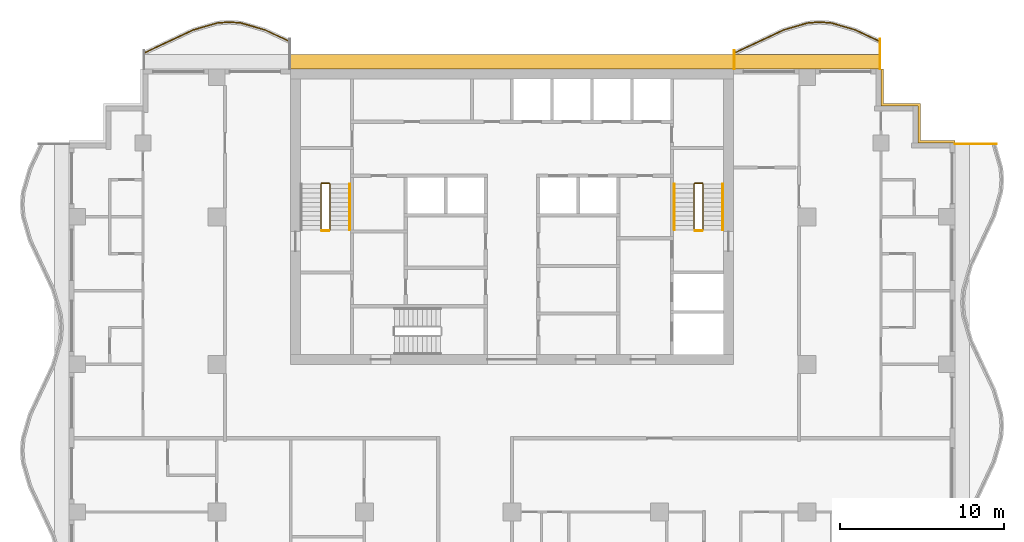
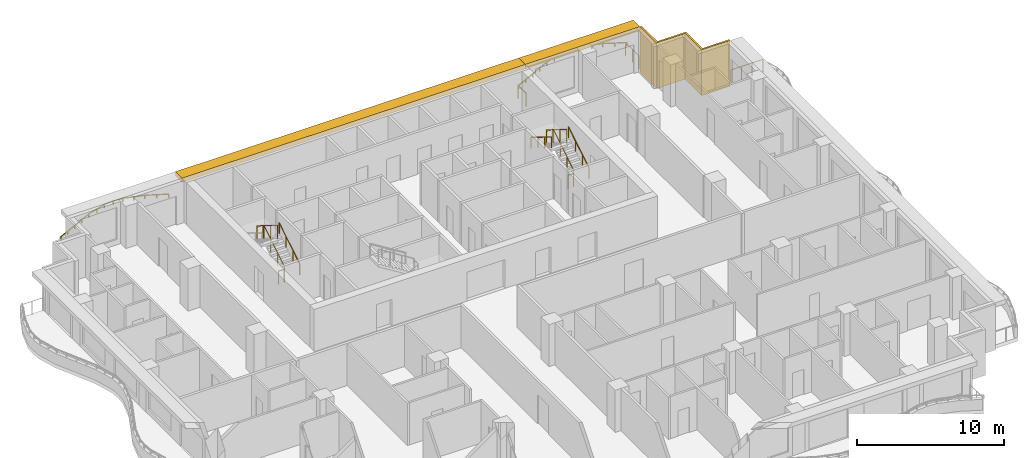
# One storey, part 12 of 12: 12 railings, 3 shading devices.
"""IFC4 building model written with IfcOpenShell, lengths in metres."""

from ifc_helpers import new_model, si_unit, direction, frame, origin, origin_2d, place, context, subcontext, project, spatial, polyline, rectangle, circle, outline, extrude, material, layer, layer_set, type_object, element, save


model = new_model("IFC4")

# Units and contexts
model_context = context("Model", 3, precision=1e-05, world=origin(), true_north=direction((0.0, 1.0)))
body_context = subcontext(model_context, "Body", "Model", "MODEL_VIEW")
ifc_project = project(units=[si_unit("LENGTHUNIT", "METRE"), si_unit("AREAUNIT", "SQUARE_METRE"), si_unit("VOLUMEUNIT", "CUBIC_METRE"), si_unit("PLANEANGLEUNIT", "RADIAN"), si_unit("MASSUNIT", "GRAM", prefix="KILO")], contexts=[model_context])

# Site, building, storey
site_placement = place(None, origin())
site = spatial("IfcSite", under=ifc_project, at=site_placement, CompositionType="ELEMENT")
building_placement = place(site_placement, origin())
building = spatial("IfcBuilding", under=site, at=building_placement, Name="Orbiselva Terraces", CompositionType="ELEMENT")
storey_placement = place(building_placement, frame((0.0, 0.0, 211.0)))
storey = spatial("IfcBuildingStorey", under=building, at=storey_placement, Name="L53", CompositionType="ELEMENT", Elevation=211.0)

# Railings
ifc_material_1 = material(Name="Stainless steel", Category="steel")
railing_type_1 = type_object("IfcRailingType", Name="CORE-GUARD-1100", PredefinedType="GUARDRAIL", material=ifc_material_1)
railing_1_placement = place(storey_placement, frame((-11.1, 12.7, 0.172727)))
element("IfcRailing", 1, at=railing_1_placement, inside=storey, type_object=railing_type_1, Name="L53 S1 stair guard 1", PredefinedType="GUARDRAIL", context=body_context, shape_type="SweptSolid", body=[
    extrude(circle(Radius=0.024, at=origin_2d()), frame((0.0, 0.0, 1.081), z_axis=(0.0, 0.851088519012, 0.52502222125), x_axis=(-1.0, 0.0, 0.0)), (0.0, 0.0, 1.0), 3.289905),
    extrude(circle(Radius=0.024, at=origin_2d()), frame((0.0, 2.8, 2.808273), z_axis=(-0.707106781187, 0.707106781187, 0.0), x_axis=(-0.707106781187, -0.707106781187, 0.0)), (0.0, 0.0, 1.0), 0.070711),
    extrude(circle(Radius=0.024, at=origin_2d()), frame((-0.05, 2.85, 2.808273), z_axis=(-1.0, 0.0, 0.0), x_axis=(0.0, -1.0, 0.0)), (0.0, 0.0, 1.0), 0.45),
    extrude(circle(Radius=0.024, at=origin_2d()), frame((-0.5, 2.85, 2.808273), z_axis=(-0.267894925557, -0.267894925557, 0.925453736133), x_axis=(0.707106781187, -0.707106781187, 0.0)), (0.0, 0.0, 1.0), 0.18664),
    extrude(circle(Radius=0.024, at=origin_2d()), frame((-0.55, 2.8, 2.981), z_axis=(0.0, -0.851088519012, 0.52502222125), x_axis=(1.0, 0.0, 0.0)), (0.0, 0.0, 1.0), 3.289905),
    extrude(circle(Radius=0.021, at=origin_2d()), origin(), (0.0, 0.0, 1.0), 1.057),
    extrude(circle(Radius=0.021, at=origin_2d()), frame((0.0, 0.933333, 0.575758)), (0.0, 0.0, 1.0), 1.057),
    extrude(circle(Radius=0.021, at=origin_2d()), frame((0.0, 1.866667, 1.151515)), (0.0, 0.0, 1.0), 1.057),
    extrude(circle(Radius=0.021, at=origin_2d()), frame((0.0, 2.8, 1.727273)), (0.0, 0.0, 1.0), 1.057),
    extrude(circle(Radius=0.021, at=origin_2d()), frame((-0.05, 2.85, 1.727273)), (0.0, 0.0, 1.0), 1.057),
    extrude(circle(Radius=0.021, at=origin_2d()), frame((-0.5, 2.85, 1.727273)), (0.0, 0.0, 1.0), 1.057),
    extrude(circle(Radius=0.021, at=origin_2d()), frame((-0.55, 2.8, 1.9)), (0.0, 0.0, 1.0), 1.057),
    extrude(circle(Radius=0.021, at=origin_2d()), frame((-0.55, 1.866667, 2.475758)), (0.0, 0.0, 1.0), 1.057),
    extrude(circle(Radius=0.021, at=origin_2d()), frame((-0.55, 0.933333, 3.051515)), (0.0, 0.0, 1.0), 1.057),
    extrude(circle(Radius=0.021, at=origin_2d()), frame((-0.55, 0.0, 3.627273)), (0.0, 0.0, 1.0), 1.057),
])
railing_2_placement = place(storey_placement, frame((-11.15, 12.65, 0.0)))
element("IfcRailing", 2, at=railing_2_placement, inside=storey, type_object=railing_type_1, Name="L53 S1 stair guard 2", PredefinedType="GUARDRAIL", context=body_context, shape_type="SweptSolid", body=[
    extrude(circle(Radius=0.024, at=origin_2d()), frame((0.0, 0.0, 1.081), z_axis=(-1.0, 0.0, 0.0), x_axis=(0.0, -1.0, 0.0)), (0.0, 0.0, 1.0), 0.45),
    extrude(circle(Radius=0.021, at=origin_2d()), origin(), (0.0, 0.0, 1.0), 1.057),
    extrude(circle(Radius=0.021, at=origin_2d()), frame((-0.45, 0.0, 0.0)), (0.0, 0.0, 1.0), 1.057),
])
railing_3_placement = place(storey_placement, frame((11.65, 12.7, 0.172727)))
element("IfcRailing", 3, at=railing_3_placement, inside=storey, type_object=railing_type_1, Name="L53 S2 stair guard 1", PredefinedType="GUARDRAIL", context=body_context, shape_type="SweptSolid", body=[
    extrude(circle(Radius=0.024, at=origin_2d()), frame((0.0, 0.0, 1.081), z_axis=(0.0, 0.851088519012, 0.52502222125), x_axis=(-1.0, 0.0, 0.0)), (0.0, 0.0, 1.0), 3.289905),
    extrude(circle(Radius=0.024, at=origin_2d()), frame((0.0, 2.8, 2.808273), z_axis=(-0.707106781187, 0.707106781187, 0.0), x_axis=(-0.707106781187, -0.707106781187, 0.0)), (0.0, 0.0, 1.0), 0.070711),
    extrude(circle(Radius=0.024, at=origin_2d()), frame((-0.05, 2.85, 2.808273), z_axis=(-1.0, 0.0, 0.0), x_axis=(0.0, -1.0, 0.0)), (0.0, 0.0, 1.0), 0.45),
    extrude(circle(Radius=0.024, at=origin_2d()), frame((-0.5, 2.85, 2.808273), z_axis=(-0.267894925557, -0.267894925557, 0.925453736133), x_axis=(0.707106781187, -0.707106781187, 0.0)), (0.0, 0.0, 1.0), 0.18664),
    extrude(circle(Radius=0.024, at=origin_2d()), frame((-0.55, 2.8, 2.981), z_axis=(0.0, -0.851088519012, 0.52502222125), x_axis=(1.0, 0.0, 0.0)), (0.0, 0.0, 1.0), 3.289905),
    extrude(circle(Radius=0.021, at=origin_2d()), origin(), (0.0, 0.0, 1.0), 1.057),
    extrude(circle(Radius=0.021, at=origin_2d()), frame((0.0, 0.933333, 0.575758)), (0.0, 0.0, 1.0), 1.057),
    extrude(circle(Radius=0.021, at=origin_2d()), frame((0.0, 1.866667, 1.151515)), (0.0, 0.0, 1.0), 1.057),
    extrude(circle(Radius=0.021, at=origin_2d()), frame((0.0, 2.8, 1.727273)), (0.0, 0.0, 1.0), 1.057),
    extrude(circle(Radius=0.021, at=origin_2d()), frame((-0.05, 2.85, 1.727273)), (0.0, 0.0, 1.0), 1.057),
    extrude(circle(Radius=0.021, at=origin_2d()), frame((-0.5, 2.85, 1.727273)), (0.0, 0.0, 1.0), 1.057),
    extrude(circle(Radius=0.021, at=origin_2d()), frame((-0.55, 2.8, 1.9)), (0.0, 0.0, 1.0), 1.057),
    extrude(circle(Radius=0.021, at=origin_2d()), frame((-0.55, 1.866667, 2.475758)), (0.0, 0.0, 1.0), 1.057),
    extrude(circle(Radius=0.021, at=origin_2d()), frame((-0.55, 0.933333, 3.051515)), (0.0, 0.0, 1.0), 1.057),
    extrude(circle(Radius=0.021, at=origin_2d()), frame((-0.55, 0.0, 3.627273)), (0.0, 0.0, 1.0), 1.057),
])
railing_4_placement = place(storey_placement, frame((11.6, 12.65, 0.0)))
element("IfcRailing", 4, at=railing_4_placement, inside=storey, type_object=railing_type_1, Name="L53 S2 stair guard 2", PredefinedType="GUARDRAIL", context=body_context, shape_type="SweptSolid", body=[
    extrude(circle(Radius=0.024, at=origin_2d()), frame((0.0, 0.0, 1.081), z_axis=(-1.0, 0.0, 0.0), x_axis=(0.0, -1.0, 0.0)), (0.0, 0.0, 1.0), 0.45),
    extrude(circle(Radius=0.021, at=origin_2d()), origin(), (0.0, 0.0, 1.0), 1.057),
    extrude(circle(Radius=0.021, at=origin_2d()), frame((-0.45, 0.0, 0.0)), (0.0, 0.0, 1.0), 1.057),
])
railing_type_2 = type_object("IfcRailingType", Name="CORE-HANDRAIL-900", PredefinedType="HANDRAIL", material=ifc_material_1)
for number, where, name in (
    (5, (-9.9, 12.7, 0.172727), "L53 S1 stair handrail 1"),
    (6, (12.85, 12.7, 0.172727), "L53 S2 stair handrail 1"),
):
    element("IfcRailing", number, at=place(storey_placement, frame(where)), inside=storey, type_object=railing_type_2, Name=name, PredefinedType="HANDRAIL", context=body_context, shape_type="SweptSolid", body=[
        extrude(circle(Radius=0.024, at=origin_2d()), frame((0.0, 0.0, 0.876), z_axis=(0.0, 0.851088519012, 0.52502222125), x_axis=(-1.0, 0.0, 0.0)), (0.0, 0.0, 1.0), 3.289905),
        extrude(circle(Radius=0.021, at=origin_2d()), origin(), (0.0, 0.0, 1.0), 0.852),
        extrude(circle(Radius=0.021, at=origin_2d()), frame((0.0, 0.933333, 0.575758)), (0.0, 0.0, 1.0), 0.852),
        extrude(circle(Radius=0.021, at=origin_2d()), frame((0.0, 1.866667, 1.151515)), (0.0, 0.0, 1.0), 0.852),
        extrude(circle(Radius=0.021, at=origin_2d()), frame((0.0, 2.8, 1.727273)), (0.0, 0.0, 1.0), 0.852),
    ])
railing_5_placement = place(storey_placement, frame((9.9, 15.5, 2.072727)))
element("IfcRailing", 7, at=railing_5_placement, inside=storey, type_object=railing_type_2, Name="L53 S2 stair handrail 2", PredefinedType="HANDRAIL", context=body_context, shape_type="SweptSolid", body=[
    extrude(circle(Radius=0.024, at=origin_2d()), frame((0.0, 0.0, 0.876), z_axis=(0.0, -0.851088519012, 0.52502222125), x_axis=(1.0, 0.0, 0.0)), (0.0, 0.0, 1.0), 3.289905),
    extrude(circle(Radius=0.021, at=origin_2d()), origin(), (0.0, 0.0, 1.0), 0.852),
    extrude(circle(Radius=0.021, at=origin_2d()), frame((0.0, -0.933333, 0.575758)), (0.0, 0.0, 1.0), 0.852),
    extrude(circle(Radius=0.021, at=origin_2d()), frame((0.0, -1.866667, 1.151515)), (0.0, 0.0, 1.0), 0.852),
    extrude(circle(Radius=0.021, at=origin_2d()), frame((0.0, -2.8, 1.727273)), (0.0, 0.0, 1.0), 0.852),
])
ifc_material_2 = material(Name="Bonded two-ply safety glass balustrade, stainless steel posts", Category="steel")
railing_type_3 = type_object("IfcRailingType", Name="ENV-BALUSTRADE-1200", PredefinedType="BALUSTRADE", material=ifc_material_2)
railing_6_placement = place(storey_placement, frame((22.446809, 24.186882, 0.9)))
element("IfcRailing", 8, at=railing_6_placement, inside=storey, type_object=railing_type_3, Name="Balcony balustrade L53 NE", PredefinedType="BALUSTRADE", context=body_context, shape_type="SweptSolid", body=[
    extrude(outline(polyline([(0.028868, 0.0), (0.014434, 0.025), (-0.014434, 0.025), (-0.028868, 0.0), (-0.014434, -0.025), (0.014434, -0.025), (0.028868, 0.0)])), frame((0.0, 0.0, 0.275), z_axis=(-0.904944359461, 0.425529912322, 0.0), x_axis=(-0.425529912322, -0.904944359461, 0.0)), (0.0, 0.0, 1.0), 1.647746),
    extrude(outline(polyline([(0.028868, 0.0), (0.014434, 0.025), (-0.014434, 0.025), (-0.028868, 0.0), (-0.014434, -0.025), (0.014434, -0.025), (0.028868, 0.0)])), frame((-1.491118, 0.701165, 0.275), z_axis=(-0.960270317007, 0.279071528957, 0.0), x_axis=(-0.279071528957, -0.960270317007, 0.0)), (0.0, 0.0, 1.0), 1.539408),
    extrude(outline(polyline([(0.028868, 0.0), (0.014434, 0.025), (-0.014434, 0.025), (-0.028868, 0.0), (-0.014434, -0.025), (0.014434, -0.025), (0.028868, 0.0)])), frame((-2.969366, 1.13077, 0.275), z_axis=(-0.996947916106, 0.078069536776, 0.0), x_axis=(-0.078069536776, -0.996947916106, 0.0)), (0.0, 0.0, 1.0), 0.72967),
    extrude(outline(polyline([(0.028868, 0.0), (0.014434, 0.025), (-0.014434, 0.025), (-0.028868, 0.0), (-0.014434, -0.025), (0.014434, -0.025), (0.028868, 0.0)])), frame((-3.696809, 1.187735, 0.275), z_axis=(-0.996947916106, -0.078069536776, 0.0), x_axis=(0.078069536776, -0.996947916106, 0.0)), (0.0, 0.0, 1.0), 0.72967),
    extrude(outline(polyline([(0.028868, 0.0), (0.014434, 0.025), (-0.014434, 0.025), (-0.028868, 0.0), (-0.014434, -0.025), (0.014434, -0.025), (0.028868, 0.0)])), frame((-4.424252, 1.13077, 0.275), z_axis=(-0.960270317007, -0.279071528957, 0.0), x_axis=(0.279071528957, -0.960270317007, 0.0)), (0.0, 0.0, 1.0), 1.539408),
    extrude(outline(polyline([(0.028868, 0.0), (0.014434, 0.025), (-0.014434, 0.025), (-0.028868, 0.0), (-0.014434, -0.025), (0.014434, -0.025), (0.028868, 0.0)])), frame((-5.9025, 0.701165, 0.275), z_axis=(-0.904944359461, -0.425529912322, 0.0), x_axis=(0.425529912322, -0.904944359461, 0.0)), (0.0, 0.0, 1.0), 1.647746),
    extrude(outline(polyline([(0.028868, 0.0), (0.014434, 0.025), (-0.014434, 0.025), (-0.028868, 0.0), (-0.014434, -0.025), (0.014434, -0.025), (0.028868, 0.0)])), frame((-7.393618, 0.0, 0.275), z_axis=(-0.904944257823, -0.425530128467, 0.0), x_axis=(0.425530128467, -0.904944257823, 0.0)), (0.0, 0.0, 1.0), 1.657561),
    extrude(rectangle(XDim=0.05, YDim=0.05, at=origin_2d()), origin(), (0.0, 0.0, 1.0), 0.25),
    extrude(rectangle(XDim=0.05, YDim=0.05, at=origin_2d()), frame((-0.745559, 0.350582, 0.0)), (0.0, 0.0, 1.0), 0.25),
    extrude(rectangle(XDim=0.05, YDim=0.05, at=origin_2d()), frame((-1.491118, 0.701165, 0.0)), (0.0, 0.0, 1.0), 0.25),
    extrude(rectangle(XDim=0.05, YDim=0.05, at=origin_2d()), frame((-2.230242, 0.915967, 0.0)), (0.0, 0.0, 1.0), 0.25),
    extrude(rectangle(XDim=0.05, YDim=0.05, at=origin_2d()), frame((-2.969366, 1.13077, 0.0)), (0.0, 0.0, 1.0), 0.25),
    extrude(rectangle(XDim=0.05, YDim=0.05, at=origin_2d()), frame((-3.696809, 1.187735, 0.0)), (0.0, 0.0, 1.0), 0.25),
    extrude(rectangle(XDim=0.05, YDim=0.05, at=origin_2d()), frame((-4.424252, 1.13077, 0.0)), (0.0, 0.0, 1.0), 0.25),
    extrude(rectangle(XDim=0.05, YDim=0.05, at=origin_2d()), frame((-5.163376, 0.915967, 0.0)), (0.0, 0.0, 1.0), 0.25),
    extrude(rectangle(XDim=0.05, YDim=0.05, at=origin_2d()), frame((-5.9025, 0.701165, 0.0)), (0.0, 0.0, 1.0), 0.25),
    extrude(rectangle(XDim=0.05, YDim=0.05, at=origin_2d()), frame((-6.648059, 0.350582, 0.0)), (0.0, 0.0, 1.0), 0.25),
    extrude(rectangle(XDim=0.05, YDim=0.05, at=origin_2d()), frame((-7.393618, 0.0, 0.0)), (0.0, 0.0, 1.0), 0.25),
    extrude(rectangle(XDim=0.05, YDim=0.05, at=origin_2d()), frame((-8.143618, -0.352671, 0.0)), (0.0, 0.0, 1.0), 0.25),
    extrude(rectangle(XDim=0.05, YDim=0.05, at=origin_2d()), frame((-8.893618, -0.705342, 0.0)), (0.0, 0.0, 1.0), 0.25),
])
railing_7_placement = place(storey_placement, frame((-13.553191, 24.186882, 0.9)))
element("IfcRailing", 9, at=railing_7_placement, inside=storey, type_object=railing_type_3, Name="Balcony balustrade L53 NW", PredefinedType="BALUSTRADE", context=body_context, shape_type="SweptSolid", body=[
    extrude(outline(polyline([(0.028868, 0.0), (0.014434, 0.025), (-0.014434, 0.025), (-0.028868, 0.0), (-0.014434, -0.025), (0.014434, -0.025), (0.028868, 0.0)])), frame((0.0, 0.0, 0.275), z_axis=(-0.904944359461, 0.425529912322, 0.0), x_axis=(-0.425529912322, -0.904944359461, 0.0)), (0.0, 0.0, 1.0), 1.647746),
    extrude(outline(polyline([(0.028868, 0.0), (0.014434, 0.025), (-0.014434, 0.025), (-0.028868, 0.0), (-0.014434, -0.025), (0.014434, -0.025), (0.028868, 0.0)])), frame((-1.491118, 0.701165, 0.275), z_axis=(-0.960270317007, 0.279071528957, 0.0), x_axis=(-0.279071528957, -0.960270317007, 0.0)), (0.0, 0.0, 1.0), 1.539408),
    extrude(outline(polyline([(0.028868, 0.0), (0.014434, 0.025), (-0.014434, 0.025), (-0.028868, 0.0), (-0.014434, -0.025), (0.014434, -0.025), (0.028868, 0.0)])), frame((-2.969366, 1.13077, 0.275), z_axis=(-0.996947916106, 0.078069536776, 0.0), x_axis=(-0.078069536776, -0.996947916106, 0.0)), (0.0, 0.0, 1.0), 0.72967),
    extrude(outline(polyline([(0.028868, 0.0), (0.014434, 0.025), (-0.014434, 0.025), (-0.028868, 0.0), (-0.014434, -0.025), (0.014434, -0.025), (0.028868, 0.0)])), frame((-3.696809, 1.187735, 0.275), z_axis=(-0.996947916106, -0.078069536776, 0.0), x_axis=(0.078069536776, -0.996947916106, 0.0)), (0.0, 0.0, 1.0), 0.72967),
    extrude(outline(polyline([(0.028868, 0.0), (0.014434, 0.025), (-0.014434, 0.025), (-0.028868, 0.0), (-0.014434, -0.025), (0.014434, -0.025), (0.028868, 0.0)])), frame((-4.424252, 1.13077, 0.275), z_axis=(-0.960270317007, -0.279071528957, 0.0), x_axis=(0.279071528957, -0.960270317007, 0.0)), (0.0, 0.0, 1.0), 1.539408),
    extrude(outline(polyline([(0.028868, 0.0), (0.014434, 0.025), (-0.014434, 0.025), (-0.028868, 0.0), (-0.014434, -0.025), (0.014434, -0.025), (0.028868, 0.0)])), frame((-5.9025, 0.701165, 0.275), z_axis=(-0.904944359461, -0.425529912322, 0.0), x_axis=(0.425529912322, -0.904944359461, 0.0)), (0.0, 0.0, 1.0), 1.647746),
    extrude(outline(polyline([(0.028868, 0.0), (0.014434, 0.025), (-0.014434, 0.025), (-0.028868, 0.0), (-0.014434, -0.025), (0.014434, -0.025), (0.028868, 0.0)])), frame((-7.393618, 0.0, 0.275), z_axis=(-0.904944257823, -0.425530128467, 0.0), x_axis=(0.425530128467, -0.904944257823, 0.0)), (0.0, 0.0, 1.0), 1.657561),
    extrude(rectangle(XDim=0.05, YDim=0.05, at=origin_2d()), origin(), (0.0, 0.0, 1.0), 0.25),
    extrude(rectangle(XDim=0.05, YDim=0.05, at=origin_2d()), frame((-0.745559, 0.350582, 0.0)), (0.0, 0.0, 1.0), 0.25),
    extrude(rectangle(XDim=0.05, YDim=0.05, at=origin_2d()), frame((-1.491118, 0.701165, 0.0)), (0.0, 0.0, 1.0), 0.25),
    extrude(rectangle(XDim=0.05, YDim=0.05, at=origin_2d()), frame((-2.230242, 0.915967, 0.0)), (0.0, 0.0, 1.0), 0.25),
    extrude(rectangle(XDim=0.05, YDim=0.05, at=origin_2d()), frame((-2.969366, 1.13077, 0.0)), (0.0, 0.0, 1.0), 0.25),
    extrude(rectangle(XDim=0.05, YDim=0.05, at=origin_2d()), frame((-3.696809, 1.187735, 0.0)), (0.0, 0.0, 1.0), 0.25),
    extrude(rectangle(XDim=0.05, YDim=0.05, at=origin_2d()), frame((-4.424252, 1.13077, 0.0)), (0.0, 0.0, 1.0), 0.25),
    extrude(rectangle(XDim=0.05, YDim=0.05, at=origin_2d()), frame((-5.163376, 0.915967, 0.0)), (0.0, 0.0, 1.0), 0.25),
    extrude(rectangle(XDim=0.05, YDim=0.05, at=origin_2d()), frame((-5.9025, 0.701165, 0.0)), (0.0, 0.0, 1.0), 0.25),
    extrude(rectangle(XDim=0.05, YDim=0.05, at=origin_2d()), frame((-6.648059, 0.350582, 0.0)), (0.0, 0.0, 1.0), 0.25),
    extrude(rectangle(XDim=0.05, YDim=0.05, at=origin_2d()), frame((-7.393618, 0.0, 0.0)), (0.0, 0.0, 1.0), 0.25),
    extrude(rectangle(XDim=0.05, YDim=0.05, at=origin_2d()), frame((-8.143618, -0.352671, 0.0)), (0.0, 0.0, 1.0), 0.25),
    extrude(rectangle(XDim=0.05, YDim=0.05, at=origin_2d()), frame((-8.893618, -0.705342, 0.0)), (0.0, 0.0, 1.0), 0.25),
])
ifc_material_3 = material(Name="Stainless steel rail and posts", Category="steel")
railing_type_4 = type_object("IfcRailingType", Name="ENV-GUARD-1105", PredefinedType="BALUSTRADE", material=ifc_material_3)
railing_8_placement = place(storey_placement, frame((29.529516, 17.94, 0.0)))
element("IfcRailing", 10, at=railing_8_placement, inside=storey, type_object=railing_type_4, Name="Balcony end guard L53 E", PredefinedType="BALUSTRADE", context=body_context, shape_type="SweptSolid", body=[
    extrude(outline(polyline([(0.028868, 0.0), (0.014434, 0.025), (-0.014434, 0.025), (-0.028868, 0.0), (-0.014434, -0.025), (0.014434, -0.025), (0.028868, 0.0)])), frame((0.0, 0.0, 1.08), z_axis=(-1.0, 0.0, 0.0), x_axis=(0.0, -1.0, 0.0)), (0.0, 0.0, 1.0), 2.504516),
    extrude(rectangle(XDim=0.05, YDim=0.05, at=origin_2d()), origin(), (0.0, 0.0, 1.0), 1.055),
    extrude(rectangle(XDim=0.05, YDim=0.05, at=origin_2d()), frame((-0.834839, 0.0, 0.0)), (0.0, 0.0, 1.0), 1.055),
    extrude(rectangle(XDim=0.05, YDim=0.05, at=origin_2d()), frame((-1.669677, 0.0, 0.0)), (0.0, 0.0, 1.0), 1.055),
    extrude(rectangle(XDim=0.05, YDim=0.05, at=origin_2d()), frame((-2.504516, 0.0, 0.0)), (0.0, 0.0, 1.0), 1.055),
])
railing_9_placement = place(storey_placement, frame((22.44, 24.330156, 0.0)))
element("IfcRailing", 11, at=railing_9_placement, inside=storey, type_object=railing_type_4, Name="Balcony end guard L53 NE", PredefinedType="BALUSTRADE", context=body_context, shape_type="SweptSolid", body=[
    extrude(outline(polyline([(0.028868, 0.0), (0.014434, 0.025), (-0.014434, 0.025), (-0.028868, 0.0), (-0.014434, -0.025), (0.014434, -0.025), (0.028868, 0.0)])), frame((0.0, 0.0, 1.08), z_axis=(0.0, -1.0, 0.0), x_axis=(1.0, 0.0, 0.0)), (0.0, 0.0, 1.0), 1.805156),
    extrude(rectangle(XDim=0.05, YDim=0.05, at=origin_2d()), origin(), (0.0, 0.0, 1.0), 1.055),
    extrude(rectangle(XDim=0.05, YDim=0.05, at=origin_2d()), frame((0.0, -0.902578, 0.0)), (0.0, 0.0, 1.0), 1.055),
    extrude(rectangle(XDim=0.05, YDim=0.05, at=origin_2d()), frame((0.0, -1.805156, 0.0)), (0.0, 0.0, 1.0), 1.055),
])
railing_10_placement = place(storey_placement, frame((13.56, 23.619277, 0.0)))
element("IfcRailing", 12, at=railing_10_placement, inside=storey, type_object=railing_type_4, Name="Balcony end guard L53 NE", PredefinedType="BALUSTRADE", context=body_context, shape_type="SweptSolid", body=[
    extrude(outline(polyline([(0.028868, 0.0), (0.014434, 0.025), (-0.014434, 0.025), (-0.028868, 0.0), (-0.014434, -0.025), (0.014434, -0.025), (0.028868, 0.0)])), frame((0.0, 0.0, 1.08), z_axis=(0.0, -1.0, 0.0), x_axis=(1.0, 0.0, 0.0)), (0.0, 0.0, 1.0), 1.094277),
    extrude(rectangle(XDim=0.05, YDim=0.05, at=origin_2d()), origin(), (0.0, 0.0, 1.0), 1.055),
    extrude(rectangle(XDim=0.05, YDim=0.05, at=origin_2d()), frame((0.0, -1.094277, 0.0)), (0.0, 0.0, 1.0), 1.055),
])

# Shading devices
ifc_material_4 = material(Name="Terracotta louvre screen", Category="masonry")
ifc_layer_1 = layer(ifc_material_4, 0.15)
ifc_layer_set_1 = layer_set([ifc_layer_1], Name="Terracotta louvre screen")
shading_device_type_1 = type_object("IfcShadingDeviceType", Name="ENV-SCREEN-150", PredefinedType="USERDEFINED", material=ifc_layer_set_1)
shading_device_1_placement = place(storey_placement, frame((0.0, 0.0, -0.3)))
element("IfcShadingDevice", 13, at=shading_device_1_placement, inside=storey, type_object=shading_device_type_1, Name="Louvre screen L53 NE", ObjectType="SCREEN", PredefinedType="USERDEFINED", context=body_context, shape_type="SweptSolid", body=[
    extrude(outline(polyline([(27.0, 18.15), (24.9, 18.15), (24.9, 20.4), (22.65, 20.4), (22.65, 22.5), (22.5, 22.5), (22.5, 20.25), (24.75, 20.25), (24.75, 18.0), (27.0, 18.0), (27.0, 18.15)])), origin(), (0.0, 0.0, 1.0), 3.8),
])
ifc_material_5 = material(Name="Terracotta baguette sunshade", Category="masonry")
ifc_layer_2 = layer(ifc_material_5, 0.35)
ifc_layer_set_2 = layer_set([ifc_layer_2], Name="Terracotta baguette sunshade")
shading_device_type_2 = type_object("IfcShadingDeviceType", Name="ENV-SUNSHADE-900x350", PredefinedType="USERDEFINED", material=ifc_layer_set_2)
shading_device_2_placement = place(storey_placement, frame((0.0, 0.0, 3.15)))
element("IfcShadingDevice", 14, at=shading_device_2_placement, inside=storey, type_object=shading_device_type_2, Name="Sunshade band L53 NE", ObjectType="SUNSHADE", PredefinedType="USERDEFINED", context=body_context, shape_type="SweptSolid", body=[
    extrude(outline(polyline([(22.5, 23.4), (13.5, 23.4), (13.5, 22.5), (22.5, 22.5), (22.5, 23.4)])), origin(), (0.0, 0.0, 1.0), 0.35),
])
shading_device_3_placement = place(storey_placement, frame((0.0, 0.0, 3.15)))
element("IfcShadingDevice", 15, at=shading_device_3_placement, inside=storey, type_object=shading_device_type_2, Name="Sunshade band L53 CORE NORTH", ObjectType="SUNSHADE", PredefinedType="USERDEFINED", context=body_context, shape_type="SweptSolid", body=[
    extrude(outline(polyline([(13.5, 23.4), (-13.5, 23.4), (-13.5, 22.5), (13.5, 22.5), (13.5, 23.4)])), origin(), (0.0, 0.0, 1.0), 0.35),
])

save(model, "model.ifc")
